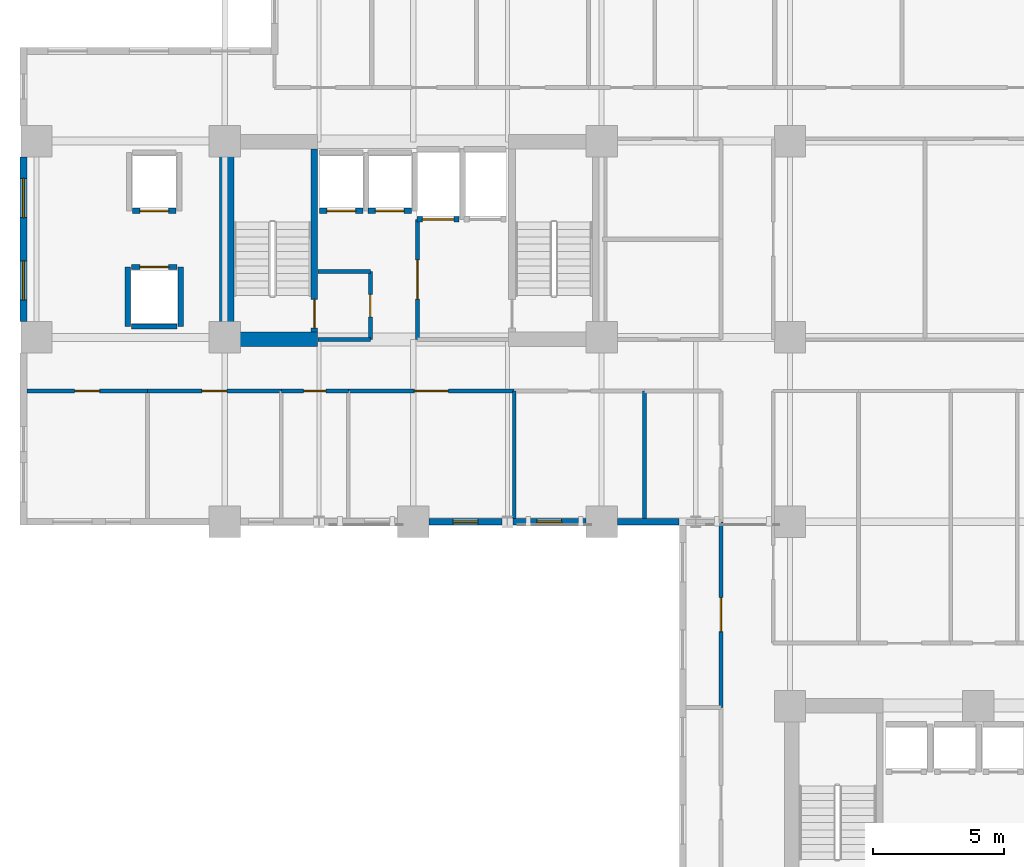
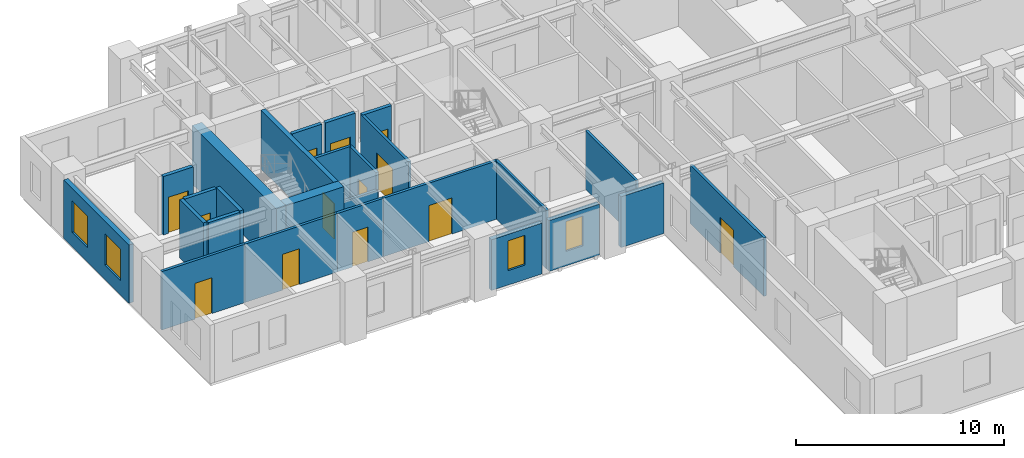
# One storey, part 3 of 11: 26 walls, 13 doors, 4 windows, 17 openings.
"""IFC4 building model written with IfcOpenShell, lengths in metres."""

from ifc_helpers import new_model, si_unit, direction, frame, frame_2d, origin, place, context, subcontext, project, spatial, rectangle, extrude, material, layer, layer_set, type_object, element, fill, save


model = new_model("IFC4")

# Units and contexts
model_context = context("Model", 3, precision=1e-05, world=origin(), true_north=direction((0.0, 1.0)))
body_context = subcontext(model_context, "Body", "Model", "MODEL_VIEW")
ifc_project = project(units=[si_unit("LENGTHUNIT", "METRE"), si_unit("AREAUNIT", "SQUARE_METRE"), si_unit("VOLUMEUNIT", "CUBIC_METRE"), si_unit("PLANEANGLEUNIT", "RADIAN"), si_unit("MASSUNIT", "GRAM", prefix="KILO")], contexts=[model_context])

# Site, building, storey
site_placement = place(None, origin())
site = spatial("IfcSite", under=ifc_project, at=site_placement, CompositionType="ELEMENT")
building_placement = place(site_placement, origin())
building = spatial("IfcBuilding", under=site, at=building_placement, Name="Kaliganga Portal Commons", CompositionType="ELEMENT")
storey_placement = place(building_placement, frame((0.0, 0.0, 119.300048828125)))
storey = spatial("IfcBuildingStorey", under=building, at=storey_placement, Name="L30", CompositionType="ELEMENT", Elevation=119.300048828125)

# Walls
ifc_material_1 = material(Name="Concrete C60/75", Category="concrete")
ifc_layer_1 = layer(ifc_material_1, 0.550048828125)
ifc_layer_set_1 = layer_set([ifc_layer_1], Name="Concrete C60/75")
wall_type_1 = type_object("IfcWallType", Name="WL-CORE-550", PredefinedType="SHEAR", material=ifc_layer_set_1)
wall_1_placement = place(storey_placement, frame((14.47509765625, 28.300048828125, 0.0), z_axis=(0.0, 0.0, 1.0), x_axis=(0.0, 1.0, 0.0)))
element("IfcWall", 1, at=wall_1_placement, inside=storey, type_object=wall_type_1, Name="Core A West Shear Wall L30", PredefinedType="SHEAR", context=body_context, shape_type="SweptSolid", body=[
    extrude(rectangle(XDim=8.099853515625, YDim=0.550048828125, at=frame_2d((4.0498046875, 0.0))), origin(), (0.0, 0.0, 1.0), 3.449951171875),
])
wall_2_placement = place(storey_placement, frame((14.75, 28.574951171875, 0.0), z_axis=(0.0, 0.0, 1.0), x_axis=(1.0, 0.0, 0.0)))
element("IfcWall", 2, at=wall_2_placement, inside=storey, type_object=wall_type_1, Name="Core A S-West Shear Wall L30", PredefinedType="SHEAR", context=body_context, shape_type="SweptSolid", body=[
    extrude(rectangle(XDim=3.199951171875, YDim=0.550048828125, at=frame_2d((1.60009765625, 0.0))), origin(), (0.0, 0.0, 1.0), 3.449951171875),
])

# Wall, openings, windows
ifc_material_2 = material(Name="Insulated Aluminium-Clad Spandrel Assembly", Category="aluminium")
ifc_layer_2 = layer(ifc_material_2, 0.260009765625)
ifc_layer_set_2 = layer_set([ifc_layer_2], Name="Insulated Aluminium-Clad Spandrel Assembly")
wall_type_2 = type_object("IfcWallType", Name="WL-EXT-SPAND-260", PredefinedType="STANDARD", material=ifc_layer_set_2)
wall_3_placement = place(storey_placement, frame((6.699951171875, 29.2509765625, 0.0), z_axis=(0.0, 0.0, 1.0), x_axis=(0.0, 1.0, 0.0)))
wall_3 = element("IfcWall", 3, at=wall_3_placement, inside=storey, type_object=wall_type_2, Name="Exterior Envelope Wall L30 P1-E09-S2", PredefinedType="STANDARD", context=body_context, shape_type="SweptSolid", body=[
    extrude(rectangle(XDim=6.298095703125, YDim=0.260009765625, at=frame_2d((3.14892578125, 0.0))), origin(), (0.0, 0.0, 1.0), 3.429931640625),
])
opening_1_placement = place(wall_3_placement, frame((0.824462890625, 0.0, 0.85009765625)))
opening_1 = element("IfcOpeningElement", 4, at=opening_1_placement, cuts=wall_3, Name="Opening W-02", PredefinedType="OPENING", context=body_context, shape_type="SweptSolid", body=[
    extrude(rectangle(XDim=1.5, YDim=1.85009765625, at=frame_2d((0.75, 0.925048828125))), frame((0.0, 0.14013671875, 0.0), z_axis=(0.0, -1.0, 0.0), x_axis=(1.0, 0.0, 0.0)), (0.0, 0.0, 1.0), 0.280029296875),
])
opening_2_placement = place(wall_3_placement, frame((3.973388671875, 0.0, 0.85009765625)))
opening_2 = element("IfcOpeningElement", 5, at=opening_2_placement, cuts=wall_3, Name="Opening W-02", PredefinedType="OPENING", context=body_context, shape_type="SweptSolid", body=[
    extrude(rectangle(XDim=1.5, YDim=1.85009765625, at=frame_2d((0.75, 0.925048828125))), frame((0.0, 0.14013671875, 0.0), z_axis=(0.0, -1.0, 0.0), x_axis=(1.0, 0.0, 0.0)), (0.0, 0.0, 1.0), 0.280029296875),
])
ifc_material_3 = material(Name="Thermally Broken Aluminium and Low-E Double Glazing", Category="aluminium")
window_type_1 = type_object("IfcWindowType", Name="WIN-STD-1500", PartitioningType="DOUBLE_PANEL_VERTICAL", PredefinedType="WINDOW", material=ifc_material_3)
window_1_placement = place(opening_1_placement, origin())
window_1 = element("IfcWindow", 6, at=window_1_placement, inside=storey, type_object=window_type_1, Name="Facade Window L30-P1E09S2-00", OverallHeight=1.85009765625, OverallWidth=1.5, PartitioningType="SINGLE_PANEL", PredefinedType="WINDOW", context=body_context, shape_type="SweptSolid", body=[
    extrude(rectangle(XDim=1.5, YDim=1.85009765625, at=frame_2d((0.75, 0.925048828125))), frame((0.0, 0.030029296875, 0.0), z_axis=(0.0, -1.0, 0.0), x_axis=(1.0, 0.0, 0.0)), (0.0, 0.0, 1.0), 0.06005859375),
])
fill(opening_1, window_1)
window_2_placement = place(opening_2_placement, origin())
window_2 = element("IfcWindow", 7, at=window_2_placement, inside=storey, type_object=window_type_1, Name="Facade Window L30-P1E09S2-01", OverallHeight=1.85009765625, OverallWidth=1.5, PartitioningType="SINGLE_PANEL", PredefinedType="WINDOW", context=body_context, shape_type="SweptSolid", body=[
    extrude(rectangle(XDim=1.5, YDim=1.85009765625, at=frame_2d((0.75, 0.925048828125))), frame((0.0, 0.030029296875, 0.0), z_axis=(0.0, -1.0, 0.0), x_axis=(1.0, 0.0, 0.0)), (0.0, 0.0, 1.0), 0.06005859375),
])
fill(opening_2, window_2)

# Wall, opening, window
wall_4_placement = place(storey_placement, frame((24.994384765625, 21.60009765625, 0.0), z_axis=(0.0, 0.0, 1.0), x_axis=(-1.0, 0.0, 0.0)))
wall_4 = element("IfcWall", 8, at=wall_4_placement, inside=storey, type_object=wall_type_2, Name="Exterior Envelope Wall L30 P1-E10-S4", PredefinedType="STANDARD", context=body_context, shape_type="SweptSolid", body=[
    extrude(rectangle(XDim=2.79345703125, YDim=0.260009765625, at=frame_2d((1.396728515625, 0.0))), origin(), (0.0, 0.0, 1.0), 2.97998046875),
])
opening_3_placement = place(wall_4_placement, frame((0.921630859375, 0.0, 0.85009765625)))
opening_3 = element("IfcOpeningElement", 9, at=opening_3_placement, cuts=wall_4, Name="Opening W-04", PredefinedType="OPENING", context=body_context, shape_type="SweptSolid", body=[
    extrude(rectangle(XDim=0.949951171875, YDim=1.75, at=frame_2d((0.47509765625, 0.875))), frame((0.0, 0.14013671875, 0.0), z_axis=(0.0, -1.0, 0.0), x_axis=(1.0, 0.0, 0.0)), (0.0, 0.0, 1.0), 0.280029296875),
])
window_type_2 = type_object("IfcWindowType", Name="WIN-NARROW-950", PartitioningType="SINGLE_PANEL", PredefinedType="WINDOW", material=ifc_material_3)
window_3_placement = place(opening_3_placement, origin())
window_3 = element("IfcWindow", 10, at=window_3_placement, inside=storey, type_object=window_type_2, Name="Facade Window L30-P1E10S4-00", OverallHeight=1.75, OverallWidth=0.949951171875, PartitioningType="SINGLE_PANEL", PredefinedType="WINDOW", context=body_context, shape_type="SweptSolid", body=[
    extrude(rectangle(XDim=0.949951171875, YDim=1.75, at=frame_2d((0.47509765625, 0.875))), frame((0.0, 0.030029296875, 0.0), z_axis=(0.0, -1.0, 0.0), x_axis=(1.0, 0.0, 0.0)), (0.0, 0.0, 1.0), 0.06005859375),
])
fill(opening_3, window_3)

wall_5_placement = place(storey_placement, frame((28.198974609375, 21.60009765625, 0.0), z_axis=(0.0, 0.0, 1.0), x_axis=(-1.0, 0.0, 0.0)))
wall_5 = element("IfcWall", 11, at=wall_5_placement, inside=storey, type_object=wall_type_2, Name="Exterior Envelope Wall L30 P1-E10-S5", PredefinedType="STANDARD", context=body_context, shape_type="SweptSolid", body=[
    extrude(rectangle(XDim=2.79345703125, YDim=0.260009765625, at=frame_2d((1.396728515625, 0.0))), origin(), (0.0, 0.0, 1.0), 2.97998046875),
])
opening_4_placement = place(wall_5_placement, frame((0.921875, 0.0, 0.85009765625)))
opening_4 = element("IfcOpeningElement", 12, at=opening_4_placement, cuts=wall_5, Name="Opening W-04", PredefinedType="OPENING", context=body_context, shape_type="SweptSolid", body=[
    extrude(rectangle(XDim=0.949951171875, YDim=1.75, at=frame_2d((0.47509765625, 0.875))), frame((0.0, 0.14013671875, 0.0), z_axis=(0.0, -1.0, 0.0), x_axis=(1.0, 0.0, 0.0)), (0.0, 0.0, 1.0), 0.280029296875),
])
window_4_placement = place(opening_4_placement, origin())
window_4 = element("IfcWindow", 13, at=window_4_placement, inside=storey, type_object=window_type_2, Name="Facade Window L30-P1E10S5-00", OverallHeight=1.75, OverallWidth=0.949951171875, PartitioningType="SINGLE_PANEL", PredefinedType="WINDOW", context=body_context, shape_type="SweptSolid", body=[
    extrude(rectangle(XDim=0.949951171875, YDim=1.75, at=frame_2d((0.47509765625, 0.875))), frame((0.0, 0.030029296875, 0.0), z_axis=(0.0, -1.0, 0.0), x_axis=(1.0, 0.0, 0.0)), (0.0, 0.0, 1.0), 0.06005859375),
])
fill(opening_4, window_4)

# Wall
wall_6_placement = place(storey_placement, frame((31.764892578125, 21.60009765625, 0.0), z_axis=(0.0, 0.0, 1.0), x_axis=(-1.0, 0.0, 0.0)))
element("IfcWall", 14, at=wall_6_placement, inside=storey, type_object=wall_type_2, Name="Exterior Envelope Wall L30 P1-E10-S6", PredefinedType="STANDARD", context=body_context, shape_type="SweptSolid", body=[
    extrude(rectangle(XDim=2.364013671875, YDim=0.260009765625, at=frame_2d((1.18212890625, 0.0))), origin(), (0.0, 0.0, 1.0), 2.97998046875),
])

# Wall, opening, door
ifc_material_4 = material(Name="Fire-Rated Gypsum Board on Steel Stud", Category="steel")
ifc_layer_3 = layer(ifc_material_4, 0.14990234375)
ifc_layer_set_3 = layer_set([ifc_layer_3], Name="Fire-Rated Gypsum Board on Steel Stud")
wall_type_3 = type_object("IfcWallType", Name="WL-PART-CORR-150", PredefinedType="PARTITIONING", material=ifc_layer_set_3)
wall_7_placement = place(storey_placement, frame((33.360107421875, 14.5, 0.0), z_axis=(0.0, 0.0, 1.0), x_axis=(0.0, 1.0, 0.0)))
wall_7 = element("IfcWall", 15, at=wall_7_placement, inside=storey, type_object=wall_type_3, Name="Interior Partition L30-011", PredefinedType="PARTITIONING", context=body_context, shape_type="SweptSolid", body=[
    extrude(rectangle(XDim=7.10009765625, YDim=0.14990234375, at=frame_2d((3.550048828125, 0.0))), origin(), (0.0, 0.0, 1.0), 3.429931640625),
])
opening_5_placement = place(wall_7_placement, frame((2.89990234375, 0.0, 0.0)))
opening_5 = element("IfcOpeningElement", 16, at=opening_5_placement, cuts=wall_7, Name="Opening RD-03", PredefinedType="OPENING", context=body_context, shape_type="SweptSolid", body=[
    extrude(rectangle(XDim=1.300048828125, YDim=2.1201171875, at=frame_2d((0.64990234375, 1.06005859375))), frame((0.0, 0.0849609375, 0.0), z_axis=(0.0, -1.0, 0.0), x_axis=(1.0, 0.0, 0.0)), (0.0, 0.0, 1.0), 0.169921875),
])
ifc_material_5 = material(Name="Glazed Timber Seminar Vision Door", Category="wood")
door_type_1 = type_object("IfcDoorType", Name="DR-STUDY-1300", OperationType="DOUBLE_DOOR_SINGLE_SWING", PredefinedType="DOOR", material=ifc_material_5)
door_1_placement = place(opening_5_placement, origin())
door_1 = element("IfcDoor", 17, at=door_1_placement, inside=storey, type_object=door_type_1, Name="Interior Door L30-KW02", OperationType="DOUBLE_DOOR_SINGLE_SWING", OverallHeight=2.1201171875, OverallWidth=1.300048828125, PredefinedType="DOOR", context=body_context, shape_type="SweptSolid", body=[
    extrude(rectangle(XDim=1.300048828125, YDim=2.1201171875, at=frame_2d((0.64990234375, 1.06005859375))), frame((0.0, 0.02490234375, 0.0), z_axis=(0.0, -1.0, 0.0), x_axis=(1.0, 0.0, 0.0)), (0.0, 0.0, 1.0), 0.050048828125),
])
fill(opening_5, door_1)

wall_8_placement = place(storey_placement, frame((19.1201171875, 26.60009765625, 0.0), z_axis=(0.0, 0.0, 1.0), x_axis=(1.0, 0.0, 0.0)))
wall_8 = element("IfcWall", 18, at=wall_8_placement, inside=storey, type_object=wall_type_3, Name="Interior Partition L30-012", PredefinedType="PARTITIONING", context=body_context, shape_type="SweptSolid", body=[
    extrude(rectangle(XDim=6.33984375, YDim=0.14990234375, at=frame_2d((3.169921875, 0.0))), origin(), (0.0, 0.0, 1.0), 3.429931640625),
])
opening_6_placement = place(wall_8_placement, frame((2.52001953125, 0.0, 0.0)))
opening_6 = element("IfcOpeningElement", 19, at=opening_6_placement, cuts=wall_8, Name="Opening RD-03", PredefinedType="OPENING", context=body_context, shape_type="SweptSolid", body=[
    extrude(rectangle(XDim=1.300048828125, YDim=2.1201171875, at=frame_2d((0.64990234375, 1.06005859375))), frame((0.0, 0.0849609375, 0.0), z_axis=(0.0, -1.0, 0.0), x_axis=(1.0, 0.0, 0.0)), (0.0, 0.0, 1.0), 0.169921875),
])
door_2_placement = place(opening_6_placement, origin())
door_2 = element("IfcDoor", 20, at=door_2_placement, inside=storey, type_object=door_type_1, Name="Interior Door L30-AS04", OperationType="DOUBLE_DOOR_SINGLE_SWING", OverallHeight=2.1201171875, OverallWidth=1.300048828125, PredefinedType="DOOR", context=body_context, shape_type="SweptSolid", body=[
    extrude(rectangle(XDim=1.300048828125, YDim=2.1201171875, at=frame_2d((0.64990234375, 1.06005859375))), frame((0.0, 0.02490234375, 0.0), z_axis=(0.0, -1.0, 0.0), x_axis=(1.0, 0.0, 0.0)), (0.0, 0.0, 1.0), 0.050048828125),
])
fill(opening_6, door_2)

wall_9_placement = place(storey_placement, frame((11.43994140625, 26.60009765625, 0.0), z_axis=(0.0, 0.0, 1.0), x_axis=(1.0, 0.0, 0.0)))
wall_9 = element("IfcWall", 21, at=wall_9_placement, inside=storey, type_object=wall_type_3, Name="Interior Partition L30-015", PredefinedType="PARTITIONING", context=body_context, shape_type="SweptSolid", body=[
    extrude(rectangle(XDim=5.1201171875, YDim=0.14990234375, at=frame_2d((2.56005859375, 0.0))), origin(), (0.0, 0.0, 1.0), 3.429931640625),
])
opening_7_placement = place(wall_9_placement, frame((2.0849609375, 0.0, 0.0)))
opening_7 = element("IfcOpeningElement", 22, at=opening_7_placement, cuts=wall_9, Name="Opening UD-01", PredefinedType="OPENING", context=body_context, shape_type="SweptSolid", body=[
    extrude(rectangle(XDim=0.949951171875, YDim=2.10009765625, at=frame_2d((0.47509765625, 1.050048828125))), frame((0.0, 0.0849609375, 0.0), z_axis=(0.0, -1.0, 0.0), x_axis=(1.0, 0.0, 0.0)), (0.0, 0.0, 1.0), 0.169921875),
])
ifc_material_6 = material(Name="Solid-Core Timber Acoustic Fire Door", Category="wood")
door_type_2 = type_object("IfcDoorType", Name="DR-UNIT-950", OperationType="NOTDEFINED", PredefinedType="DOOR", material=ifc_material_6)
door_3_placement = place(opening_7_placement, origin())
door_3 = element("IfcDoor", 23, at=door_3_placement, inside=storey, type_object=door_type_2, Name="Interior Door L30-AS02", OperationType="SINGLE_SWING_RIGHT", OverallHeight=2.10009765625, OverallWidth=0.949951171875, PredefinedType="DOOR", context=body_context, shape_type="SweptSolid", body=[
    extrude(rectangle(XDim=0.949951171875, YDim=2.10009765625, at=frame_2d((0.47509765625, 1.050048828125))), frame((0.0, 0.02490234375, 0.0), z_axis=(0.0, -1.0, 0.0), x_axis=(1.0, 0.0, 0.0)), (0.0, 0.0, 1.0), 0.050048828125),
])
fill(opening_7, door_3)

wall_10_placement = place(storey_placement, frame((6.83203125, 26.60009765625, 0.0), z_axis=(0.0, 0.0, 1.0), x_axis=(1.0, 0.0, 0.0)))
wall_10 = element("IfcWall", 24, at=wall_10_placement, inside=storey, type_object=wall_type_3, Name="Interior Partition L30-022", PredefinedType="PARTITIONING", context=body_context, shape_type="SweptSolid", body=[
    extrude(rectangle(XDim=4.60791015625, YDim=0.14990234375, at=frame_2d((2.303955078125, 0.0))), origin(), (0.0, 0.0, 1.0), 3.429931640625),
])
opening_8_placement = place(wall_10_placement, frame((1.8291015625, 0.0, 0.0)))
opening_8 = element("IfcOpeningElement", 25, at=opening_8_placement, cuts=wall_10, Name="Opening UD-01", PredefinedType="OPENING", context=body_context, shape_type="SweptSolid", body=[
    extrude(rectangle(XDim=0.949951171875, YDim=2.10009765625, at=frame_2d((0.47509765625, 1.050048828125))), frame((0.0, 0.0849609375, 0.0), z_axis=(0.0, -1.0, 0.0), x_axis=(1.0, 0.0, 0.0)), (0.0, 0.0, 1.0), 0.169921875),
])
door_4_placement = place(opening_8_placement, origin())
door_4 = element("IfcDoor", 26, at=door_4_placement, inside=storey, type_object=door_type_2, Name="Interior Door L30-AS01", OperationType="SINGLE_SWING_RIGHT", OverallHeight=2.10009765625, OverallWidth=0.949951171875, PredefinedType="DOOR", context=body_context, shape_type="SweptSolid", body=[
    extrude(rectangle(XDim=0.949951171875, YDim=2.10009765625, at=frame_2d((0.47509765625, 1.050048828125))), frame((0.0, 0.02490234375, 0.0), z_axis=(0.0, -1.0, 0.0), x_axis=(1.0, 0.0, 0.0)), (0.0, 0.0, 1.0), 0.050048828125),
])
fill(opening_8, door_4)

wall_11_placement = place(storey_placement, frame((19.9599609375, 28.56005859375, 0.0), z_axis=(0.0, 0.0, 1.0), x_axis=(0.0, 1.0, 0.0)))
wall_11 = element("IfcWall", 27, at=wall_11_placement, inside=storey, type_object=wall_type_3, Name="Interior Partition L30-035", PredefinedType="PARTITIONING", context=body_context, shape_type="SweptSolid", body=[
    extrude(rectangle(XDim=2.599853515625, YDim=0.14990234375, at=frame_2d((1.2998046875, 0.0))), origin(), (0.0, 0.0, 1.0), 3.429931640625),
])
opening_9_placement = place(wall_11_placement, frame((0.8701171875, 0.0, 0.0)))
opening_9 = element("IfcOpeningElement", 28, at=opening_9_placement, cuts=wall_11, Name="Opening WD-02", PredefinedType="OPENING", context=body_context, shape_type="SweptSolid", body=[
    extrude(rectangle(XDim=0.860107421875, YDim=2.02001953125, at=frame_2d((0.43017578125, 1.010009765625))), frame((0.0, 0.0849609375, 0.0), z_axis=(0.0, -1.0, 0.0), x_axis=(1.0, 0.0, 0.0)), (0.0, 0.0, 1.0), 0.169921875),
])
ifc_material_7 = material(Name="Fire-Rated Utility Closet Door", Category="wood")
door_type_3 = type_object("IfcDoorType", Name="DR-STORE-800", OperationType="NOTDEFINED", PredefinedType="DOOR", material=ifc_material_7)
door_5_placement = place(opening_9_placement, origin())
door_5 = element("IfcDoor", 29, at=door_5_placement, inside=storey, type_object=door_type_3, Name="Interior Door L30-CIN_A1", OperationType="SINGLE_SWING_LEFT", OverallHeight=2.02001953125, OverallWidth=0.860107421875, PredefinedType="DOOR", context=body_context, shape_type="SweptSolid", body=[
    extrude(rectangle(XDim=0.860107421875, YDim=2.02001953125, at=frame_2d((0.43017578125, 1.010009765625))), frame((0.0, 0.02490234375, 0.0), z_axis=(0.0, -1.0, 0.0), x_axis=(1.0, 0.0, 0.0)), (0.0, 0.0, 1.0), 0.050048828125),
])
fill(opening_9, door_5)

wall_12_placement = place(storey_placement, frame((16.56005859375, 26.60009765625, 0.0), z_axis=(0.0, 0.0, 1.0), x_axis=(1.0, 0.0, 0.0)))
wall_12 = element("IfcWall", 30, at=wall_12_placement, inside=storey, type_object=wall_type_3, Name="Interior Partition L30-036", PredefinedType="PARTITIONING", context=body_context, shape_type="SweptSolid", body=[
    extrude(rectangle(XDim=2.56005859375, YDim=0.14990234375, at=frame_2d((1.280029296875, 0.0))), origin(), (0.0, 0.0, 1.0), 3.429931640625),
])
opening_10_placement = place(wall_12_placement, frame((0.85498046875, 0.0, 0.0)))
opening_10 = element("IfcOpeningElement", 31, at=opening_10_placement, cuts=wall_12, Name="Opening WD-01", PredefinedType="OPENING", context=body_context, shape_type="SweptSolid", body=[
    extrude(rectangle(XDim=0.85009765625, YDim=2.0400390625, at=frame_2d((0.425048828125, 1.02001953125))), frame((0.0, 0.0849609375, 0.0), z_axis=(0.0, -1.0, 0.0), x_axis=(1.0, 0.0, 0.0)), (0.0, 0.0, 1.0), 0.169921875),
])
ifc_material_8 = material(Name="Moisture-Resistant Laminate Timber Door", Category="wood")
door_type_4 = type_object("IfcDoorType", Name="DR-WET-850", OperationType="NOTDEFINED", PredefinedType="DOOR", material=ifc_material_8)
door_6_placement = place(opening_10_placement, origin())
door_6 = element("IfcDoor", 32, at=door_6_placement, inside=storey, type_object=door_type_4, Name="Interior Door L30-AS03", OperationType="SINGLE_SWING_RIGHT", OverallHeight=2.0400390625, OverallWidth=0.85009765625, PredefinedType="DOOR", context=body_context, shape_type="SweptSolid", body=[
    extrude(rectangle(XDim=0.85009765625, YDim=2.0400390625, at=frame_2d((0.425048828125, 1.02001953125))), frame((0.0, 0.02490234375, 0.0), z_axis=(0.0, -1.0, 0.0), x_axis=(1.0, 0.0, 0.0)), (0.0, 0.0, 1.0), 0.050048828125),
])
fill(opening_10, door_6)

# Walls
wall_13_placement = place(storey_placement, frame((17.9599609375, 28.56005859375, 0.0), z_axis=(0.0, 0.0, 1.0), x_axis=(1.0, 0.0, 0.0)))
element("IfcWall", 33, at=wall_13_placement, inside=storey, type_object=wall_type_3, Name="Interior Partition L30-039", PredefinedType="PARTITIONING", context=body_context, shape_type="SweptSolid", body=[
    extrude(rectangle(XDim=2.0, YDim=0.14990234375, at=frame_2d((1.0, 0.0))), origin(), (0.0, 0.0, 1.0), 2.429931640625),
])
wall_14_placement = place(storey_placement, frame((17.9599609375, 31.159912109375, 0.0), z_axis=(0.0, 0.0, 1.0), x_axis=(1.0, 0.0, 0.0)))
element("IfcWall", 34, at=wall_14_placement, inside=storey, type_object=wall_type_3, Name="Interior Partition L30-040", PredefinedType="PARTITIONING", context=body_context, shape_type="SweptSolid", body=[
    extrude(rectangle(XDim=2.0, YDim=0.14990234375, at=frame_2d((1.0, 0.0))), origin(), (0.0, 0.0, 1.0), 3.429931640625),
])

# Wall, opening, door
wall_15_placement = place(storey_placement, frame((21.760009765625, 28.56005859375, 0.0), z_axis=(0.0, 0.0, 1.0), x_axis=(0.0, 1.0, 0.0)))
wall_15 = element("IfcWall", 35, at=wall_15_placement, inside=storey, type_object=wall_type_3, Name="Interior Partition L30-073", PredefinedType="PARTITIONING", context=body_context, shape_type="SweptSolid", body=[
    extrude(rectangle(XDim=4.599853515625, YDim=0.14990234375, at=frame_2d((2.2998046875, 0.0))), origin(), (0.0, 0.0, 1.0), 3.429931640625),
])
opening_11_placement = place(wall_15_placement, frame((1.550048828125, 0.0, 0.0)))
opening_11 = element("IfcOpeningElement", 36, at=opening_11_placement, cuts=wall_15, Name="Opening FD-01", PredefinedType="OPENING", context=body_context, shape_type="SweptSolid", body=[
    extrude(rectangle(XDim=1.5, YDim=2.10009765625, at=frame_2d((0.75, 1.050048828125))), frame((0.0, 0.0849609375, 0.0), z_axis=(0.0, -1.0, 0.0), x_axis=(1.0, 0.0, 0.0)), (0.0, 0.0, 1.0), 0.169921875),
])
ifc_material_9 = material(Name="Fire-Rated Hardwood and Georgian-Wired Vision Panel", Category="wood")
door_type_5 = type_object("IfcDoorType", Name="DR-LOBBY-1500", OperationType="DOUBLE_DOOR_SINGLE_SWING", PredefinedType="DOOR", material=ifc_material_9)
door_7_placement = place(opening_11_placement, origin())
door_7 = element("IfcDoor", 37, at=door_7_placement, inside=storey, type_object=door_type_5, Name="Interior Door L30-FFLOB_A", OperationType="DOUBLE_DOOR_SINGLE_SWING", OverallHeight=2.10009765625, OverallWidth=1.5, PredefinedType="DOOR", context=body_context, shape_type="SweptSolid", body=[
    extrude(rectangle(XDim=1.5, YDim=2.10009765625, at=frame_2d((0.75, 1.050048828125))), frame((0.0, 0.02490234375, 0.0), z_axis=(0.0, -1.0, 0.0), x_axis=(1.0, 0.0, 0.0)), (0.0, 0.0, 1.0), 0.050048828125),
])
fill(opening_11, door_7)

# Walls
ifc_material_10 = material(Name="Cement-Board Wet-Room Partition", Category="gypsum")
ifc_layer_4 = layer(ifc_material_10, 0.135009765625)
ifc_layer_set_4 = layer_set([ifc_layer_4], Name="Cement-Board Wet-Room Partition")
wall_type_4 = type_object("IfcWallType", Name="WL-PART-WET-135", PredefinedType="PARTITIONING", material=ifc_layer_set_4)
for number, where, z_axis, x_axis, name in (
    (38, (25.4599609375, 21.73193359375, 0.0), (0.0, 0.0, 1.0), (0.0, 1.0, 0.0), "Interior Partition L30-062"),
    (39, (30.43994140625, 21.73193359375, 0.0), (0.0, 0.0, 1.0), (0.0, 1.0, 0.0), "Interior Partition L30-064"),
):
    element("IfcWall", number, at=place(storey_placement, frame(where, z_axis=z_axis, x_axis=x_axis)), inside=storey, type_object=wall_type_4, Name=name, PredefinedType="PARTITIONING", context=body_context, shape_type="SweptSolid", body=[
        extrude(rectangle(XDim=4.8681640625, YDim=0.135009765625, at=frame_2d((2.43408203125, 0.0))), origin(), (0.0, 0.0, 1.0), 3.429931640625),
    ])

# Wall, opening, door
ifc_material_11 = material(Name="Fire-Rated Shaftwall Masonry Assembly", Category="masonry")
ifc_layer_5 = layer(ifc_material_11, 0.199951171875)
ifc_layer_set_5 = layer_set([ifc_layer_5], Name="Fire-Rated Shaftwall Masonry Assembly")
wall_type_5 = type_object("IfcWallType", Name="WL-SHAFT-200", PredefinedType="PARTITIONING", material=ifc_layer_set_5)
wall_16_placement = place(storey_placement, frame((18.02490234375, 33.485107421875, 0.0), z_axis=(0.0, 0.0, 1.0), x_axis=(1.0, 0.0, 0.0)))
wall_16 = element("IfcWall", 40, at=wall_16_placement, inside=storey, type_object=wall_type_5, Name="Lift PL-A1 Hoistway Shaft Wall L30-S", PredefinedType="PARTITIONING", context=body_context, shape_type="SweptSolid", body=[
    extrude(rectangle(XDim=1.650146484375, YDim=0.199951171875, at=frame_2d((0.8251953125, 0.0))), origin(), (0.0, 0.0, 1.0), 3.429931640625),
])
opening_12_placement = place(wall_16_placement, frame((0.27490234375, 0.0, 0.0)))
opening_12 = element("IfcOpeningElement", 41, at=opening_12_placement, cuts=wall_16, Name="Opening LD-01", PredefinedType="OPENING", context=body_context, shape_type="SweptSolid", body=[
    extrude(rectangle(XDim=1.10009765625, YDim=2.1201171875, at=frame_2d((0.550048828125, 1.06005859375))), frame((0.0, 0.10986328125, 0.0), z_axis=(0.0, -1.0, 0.0), x_axis=(1.0, 0.0, 0.0)), (0.0, 0.0, 1.0), 0.219970703125),
])
ifc_material_12 = material(Name="Brushed Stainless Steel 316 Lift Landing Door", Category="steel")
door_type_6 = type_object("IfcDoorType", Name="DR-LIFT-1100", OperationType="SLIDING_TO_LEFT", PredefinedType="DOOR", material=ifc_material_12)
door_8_placement = place(opening_12_placement, origin())
door_8 = element("IfcDoor", 42, at=door_8_placement, inside=storey, type_object=door_type_6, Name="Lift PL-A1 Sliding Landing Door L30", OperationType="SLIDING_TO_LEFT", OverallHeight=2.1201171875, OverallWidth=1.10009765625, PredefinedType="DOOR", context=body_context, shape_type="SweptSolid", body=[
    extrude(rectangle(XDim=1.10009765625, YDim=2.1201171875, at=frame_2d((0.550048828125, 1.06005859375))), frame((0.0, 0.02490234375, 0.0), z_axis=(0.0, -1.0, 0.0), x_axis=(1.0, 0.0, 0.0)), (0.0, 0.0, 1.0), 0.050048828125),
])
fill(opening_12, door_8)

wall_17_placement = place(storey_placement, frame((19.875, 33.485107421875, 0.0), z_axis=(0.0, 0.0, 1.0), x_axis=(1.0, 0.0, 0.0)))
wall_17 = element("IfcWall", 43, at=wall_17_placement, inside=storey, type_object=wall_type_5, Name="Lift PL-A2 Hoistway Shaft Wall L30-S", PredefinedType="PARTITIONING", context=body_context, shape_type="SweptSolid", body=[
    extrude(rectangle(XDim=1.64990234375, YDim=0.199951171875, at=frame_2d((0.824951171875, 0.0))), origin(), (0.0, 0.0, 1.0), 3.429931640625),
])
opening_13_placement = place(wall_17_placement, frame((0.27490234375, 0.0, 0.0)))
opening_13 = element("IfcOpeningElement", 44, at=opening_13_placement, cuts=wall_17, Name="Opening LD-01", PredefinedType="OPENING", context=body_context, shape_type="SweptSolid", body=[
    extrude(rectangle(XDim=1.10009765625, YDim=2.1201171875, at=frame_2d((0.550048828125, 1.06005859375))), frame((0.0, 0.10986328125, 0.0), z_axis=(0.0, -1.0, 0.0), x_axis=(1.0, 0.0, 0.0)), (0.0, 0.0, 1.0), 0.219970703125),
])
door_9_placement = place(opening_13_placement, origin())
door_9 = element("IfcDoor", 45, at=door_9_placement, inside=storey, type_object=door_type_6, Name="Lift PL-A2 Sliding Landing Door L30", OperationType="SLIDING_TO_LEFT", OverallHeight=2.1201171875, OverallWidth=1.10009765625, PredefinedType="DOOR", context=body_context, shape_type="SweptSolid", body=[
    extrude(rectangle(XDim=1.10009765625, YDim=2.1201171875, at=frame_2d((0.550048828125, 1.06005859375))), frame((0.0, 0.02490234375, 0.0), z_axis=(0.0, -1.0, 0.0), x_axis=(1.0, 0.0, 0.0)), (0.0, 0.0, 1.0), 0.050048828125),
])
fill(opening_13, door_9)

# Wall
wall_18_placement = place(storey_placement, frame((10.824951171875, 29.06005859375, 0.0), z_axis=(0.0, 0.0, 1.0), x_axis=(1.0, 0.0, 0.0)))
element("IfcWall", 46, at=wall_18_placement, inside=storey, type_object=wall_type_5, Name="Lift SH-1 Hoistway Shaft Wall L30-S", PredefinedType="PARTITIONING", context=body_context, shape_type="SweptSolid", body=[
    extrude(rectangle(XDim=1.75, YDim=0.199951171875, at=frame_2d((0.875, 0.0))), origin(), (0.0, 0.0, 1.0), 3.429931640625),
])

# Wall, opening, door
wall_19_placement = place(storey_placement, frame((10.824951171875, 31.340087890625, 0.0), z_axis=(0.0, 0.0, 1.0), x_axis=(1.0, 0.0, 0.0)))
wall_19 = element("IfcWall", 47, at=wall_19_placement, inside=storey, type_object=wall_type_5, Name="Lift SH-1 Hoistway Shaft Wall L30-N", PredefinedType="PARTITIONING", context=body_context, shape_type="SweptSolid", body=[
    extrude(rectangle(XDim=1.75, YDim=0.199951171875, at=frame_2d((0.875, 0.0))), origin(), (0.0, 0.0, 1.0), 3.429931640625),
])
opening_14_placement = place(wall_19_placement, frame((0.324951171875, 0.0, 0.0)))
opening_14 = element("IfcOpeningElement", 48, at=opening_14_placement, cuts=wall_19, Name="Opening LD-01", PredefinedType="OPENING", context=body_context, shape_type="SweptSolid", body=[
    extrude(rectangle(XDim=1.10009765625, YDim=2.1201171875, at=frame_2d((0.550048828125, 1.06005859375))), frame((0.0, 0.10986328125, 0.0), z_axis=(0.0, -1.0, 0.0), x_axis=(1.0, 0.0, 0.0)), (0.0, 0.0, 1.0), 0.219970703125),
])
door_10_placement = place(opening_14_placement, origin())
door_10 = element("IfcDoor", 49, at=door_10_placement, inside=storey, type_object=door_type_6, Name="Lift SH-1 Sliding Landing Door L30", OperationType="SLIDING_TO_LEFT", OverallHeight=2.1201171875, OverallWidth=1.10009765625, PredefinedType="DOOR", context=body_context, shape_type="SweptSolid", body=[
    extrude(rectangle(XDim=1.10009765625, YDim=2.1201171875, at=frame_2d((0.550048828125, 1.06005859375))), frame((0.0, 0.02490234375, 0.0), z_axis=(0.0, -1.0, 0.0), x_axis=(1.0, 0.0, 0.0)), (0.0, 0.0, 1.0), 0.050048828125),
])
fill(opening_14, door_10)

# Walls
for number, where, z_axis, x_axis, name in (
    (50, (10.68505859375, 29.06005859375, 0.0), (0.0, 0.0, 1.0), (0.0, 1.0, 0.0), "Lift SH-1 Hoistway Shaft Wall L30-W"),
    (51, (12.715087890625, 29.06005859375, 0.0), (0.0, 0.0, 1.0), (0.0, 1.0, 0.0), "Lift SH-1 Hoistway Shaft Wall L30-E"),
):
    element("IfcWall", number, at=place(storey_placement, frame(where, z_axis=z_axis, x_axis=x_axis)), inside=storey, type_object=wall_type_5, Name=name, PredefinedType="PARTITIONING", context=body_context, shape_type="SweptSolid", body=[
        extrude(rectangle(XDim=2.280029296875, YDim=0.199951171875, at=frame_2d((1.14013671875, 0.0))), origin(), (0.0, 0.0, 1.0), 3.429931640625),
    ])

# Wall, opening, door
wall_20_placement = place(storey_placement, frame((10.875, 33.485107421875, 0.0), z_axis=(0.0, 0.0, 1.0), x_axis=(1.0, 0.0, 0.0)))
wall_20 = element("IfcWall", 52, at=wall_20_placement, inside=storey, type_object=wall_type_5, Name="Lift PL-OBS Hoistway Shaft Wall L30-S", PredefinedType="PARTITIONING", context=body_context, shape_type="SweptSolid", body=[
    extrude(rectangle(XDim=1.64990234375, YDim=0.199951171875, at=frame_2d((0.824951171875, 0.0))), origin(), (0.0, 0.0, 1.0), 3.429931640625),
])
opening_15_placement = place(wall_20_placement, frame((0.27490234375, 0.0, 0.0)))
opening_15 = element("IfcOpeningElement", 53, at=opening_15_placement, cuts=wall_20, Name="Opening LD-01", PredefinedType="OPENING", context=body_context, shape_type="SweptSolid", body=[
    extrude(rectangle(XDim=1.10009765625, YDim=2.1201171875, at=frame_2d((0.550048828125, 1.06005859375))), frame((0.0, 0.10986328125, 0.0), z_axis=(0.0, -1.0, 0.0), x_axis=(1.0, 0.0, 0.0)), (0.0, 0.0, 1.0), 0.219970703125),
])
door_11_placement = place(opening_15_placement, origin())
door_11 = element("IfcDoor", 54, at=door_11_placement, inside=storey, type_object=door_type_6, Name="Lift PL-OBS Sliding Landing Door L30", OperationType="SLIDING_TO_LEFT", OverallHeight=2.1201171875, OverallWidth=1.10009765625, PredefinedType="DOOR", context=body_context, shape_type="SweptSolid", body=[
    extrude(rectangle(XDim=1.10009765625, YDim=2.1201171875, at=frame_2d((0.550048828125, 1.06005859375))), frame((0.0, 0.02490234375, 0.0), z_axis=(0.0, -1.0, 0.0), x_axis=(1.0, 0.0, 0.0)), (0.0, 0.0, 1.0), 0.050048828125),
])
fill(opening_15, door_11)

wall_21_placement = place(storey_placement, frame((21.75, 33.159912109375, 0.0), z_axis=(0.0, 0.0, 1.0), x_axis=(1.0, 0.0, 0.0)))
wall_21 = element("IfcWall", 55, at=wall_21_placement, inside=storey, type_object=wall_type_5, Name="Lift FFL-1 Hoistway Shaft Wall L30-S", PredefinedType="PARTITIONING", context=body_context, shape_type="SweptSolid", body=[
    extrude(rectangle(XDim=1.60009765625, YDim=0.199951171875, at=frame_2d((0.800048828125, 0.0))), origin(), (0.0, 0.0, 1.0), 3.429931640625),
])
opening_16_placement = place(wall_21_placement, frame((0.199951171875, 0.0, 0.0)))
opening_16 = element("IfcOpeningElement", 56, at=opening_16_placement, cuts=wall_21, Name="Opening LD-02", PredefinedType="OPENING", context=body_context, shape_type="SweptSolid", body=[
    extrude(rectangle(XDim=1.199951171875, YDim=2.1201171875, at=frame_2d((0.60009765625, 1.06005859375))), frame((0.0, 0.10986328125, 0.0), z_axis=(0.0, -1.0, 0.0), x_axis=(1.0, 0.0, 0.0)), (0.0, 0.0, 1.0), 0.219970703125),
])
ifc_material_13 = material(Name="Brushed Stainless Steel 316 Stretcher Lift Landing Door", Category="steel")
door_type_7 = type_object("IfcDoorType", Name="DR-LIFT-1200", OperationType="SLIDING_TO_RIGHT", PredefinedType="DOOR", material=ifc_material_13)
door_12_placement = place(opening_16_placement, origin())
door_12 = element("IfcDoor", 57, at=door_12_placement, inside=storey, type_object=door_type_7, Name="Lift FFL-1 Sliding Landing Door L30", OperationType="SLIDING_TO_RIGHT", OverallHeight=2.1201171875, OverallWidth=1.199951171875, PredefinedType="DOOR", context=body_context, shape_type="SweptSolid", body=[
    extrude(rectangle(XDim=1.199951171875, YDim=2.1201171875, at=frame_2d((0.60009765625, 1.06005859375))), frame((0.0, 0.02490234375, 0.0), z_axis=(0.0, -1.0, 0.0), x_axis=(1.0, 0.0, 0.0)), (0.0, 0.0, 1.0), 0.050048828125),
])
fill(opening_16, door_12)

ifc_material_14 = material(Name="Concrete C50/60", Category="concrete")
ifc_layer_6 = layer(ifc_material_14, 0.25)
ifc_layer_set_6 = layer_set([ifc_layer_6], Name="Concrete C50/60")
wall_type_6 = type_object("IfcWallType", Name="WL-STAIR-250", PredefinedType="SHEAR", material=ifc_layer_set_6)
wall_22_placement = place(storey_placement, frame((17.824951171875, 28.85009765625, 0.0), z_axis=(0.0, 0.0, 1.0), x_axis=(0.0, 1.0, 0.0)))
wall_22 = element("IfcWall", 58, at=wall_22_placement, inside=storey, type_object=wall_type_6, Name="Stair A1 Enclosure Shear Wall L30", PredefinedType="SHEAR", context=body_context, shape_type="SweptSolid", body=[
    extrude(rectangle(XDim=7.0, YDim=0.25, at=frame_2d((3.5, 0.0))), origin(), (0.0, 0.0, 1.0), 3.449951171875),
])
opening_17_placement = place(wall_22_placement, frame((0.14990234375, 0.0, 0.0)))
opening_17 = element("IfcOpeningElement", 59, at=opening_17_placement, cuts=wall_22, Name="Opening SD-01", PredefinedType="OPENING", context=body_context, shape_type="SweptSolid", body=[
    extrude(rectangle(XDim=1.10009765625, YDim=2.080078125, at=frame_2d((0.550048828125, 1.0400390625))), frame((0.0, 0.135009765625, 0.0), z_axis=(0.0, -1.0, 0.0), x_axis=(1.0, 0.0, 0.0)), (0.0, 0.0, 1.0), 0.27001953125),
])
ifc_material_15 = material(Name="Galvanized Steel Fire Door Leaf and Frame", Category="steel")
door_type_8 = type_object("IfcDoorType", Name="DR-STAIR-1100", OperationType="NOTDEFINED", PredefinedType="DOOR", material=ifc_material_15)
door_13_placement = place(opening_17_placement, origin())
door_13 = element("IfcDoor", 60, at=door_13_placement, inside=storey, type_object=door_type_8, Name="Protected Stair ST-A1 Fire Door L30", OperationType="SINGLE_SWING_RIGHT", OverallHeight=2.080078125, OverallWidth=1.10009765625, PredefinedType="DOOR", context=body_context, shape_type="SweptSolid", body=[
    extrude(rectangle(XDim=1.10009765625, YDim=2.080078125, at=frame_2d((0.550048828125, 1.0400390625))), frame((0.0, 0.02490234375, 0.0), z_axis=(0.0, -1.0, 0.0), x_axis=(1.0, 0.0, 0.0)), (0.0, 0.0, 1.0), 0.050048828125),
])
fill(opening_17, door_13)

save(model, "model.ifc")
